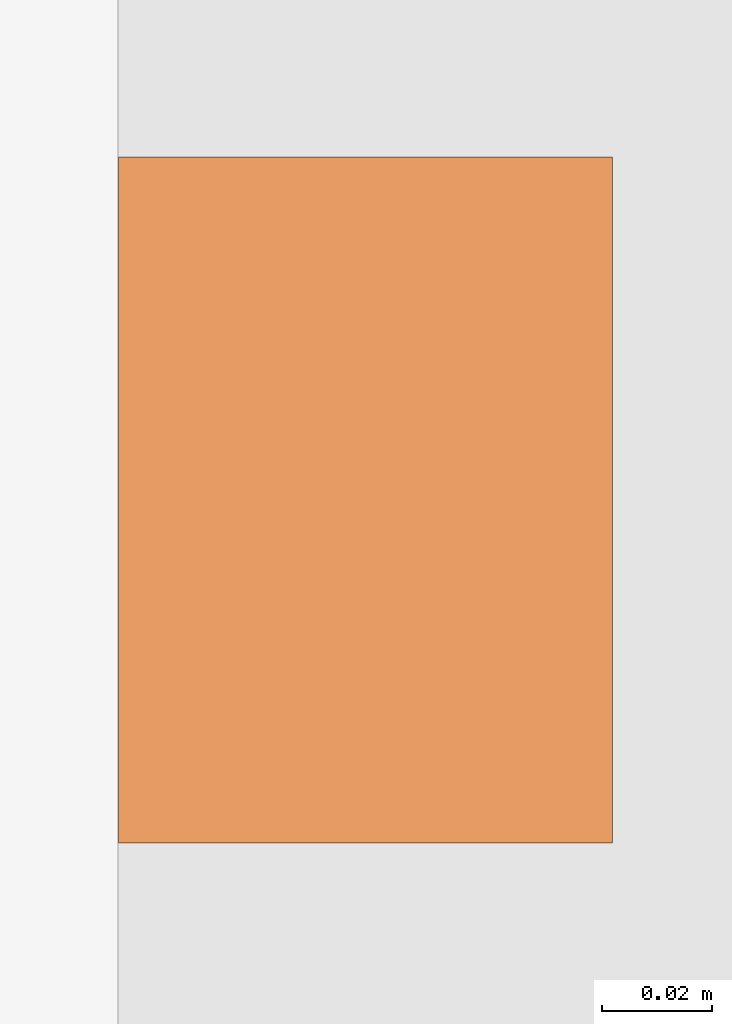
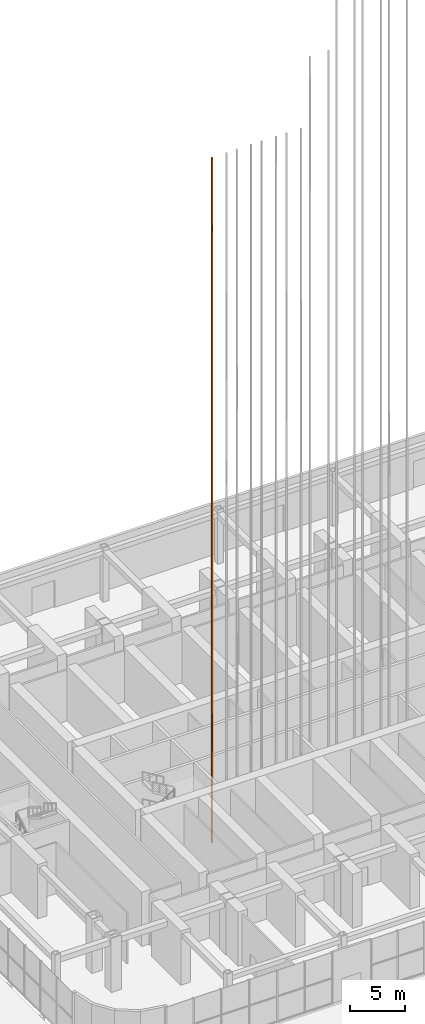
# One storey, part 42 of 57: 1 proxy.
"""IFC4 building model written with IfcOpenShell, lengths in metres."""

from ifc_helpers import new_model, si_unit, direction, frame, origin, origin_2d, place, context, subcontext, project, spatial, rectangle, extrude, material, element, save


model = new_model("IFC4")

# Units and contexts
model_context = context("Model", 3, precision=1e-05, world=origin(), true_north=direction((0.0, 1.0)))
body_context = subcontext(model_context, "Body", "Model", "MODEL_VIEW")
ifc_project = project(units=[si_unit("LENGTHUNIT", "METRE"), si_unit("AREAUNIT", "SQUARE_METRE"), si_unit("VOLUMEUNIT", "CUBIC_METRE"), si_unit("PLANEANGLEUNIT", "RADIAN"), si_unit("MASSUNIT", "GRAM", prefix="KILO")], contexts=[model_context])

# Site, building, storey
site_placement = place(None, origin())
site = spatial("IfcSite", under=ifc_project, at=site_placement, CompositionType="ELEMENT")
building_placement = place(site_placement, origin())
building = spatial("IfcBuilding", under=site, at=building_placement, Name="Orbita Commons", CompositionType="ELEMENT")
storey_placement = place(building_placement, origin())
storey = spatial("IfcBuildingStorey", under=building, at=storey_placement, Name="L00", CompositionType="ELEMENT", Elevation=0.0)

# Proxy
ifc_material = material(Name="Machined steel guide rail", Category="steel")
placement = place(storey_placement, frame((27.300048828125, 28.10009765625, 0.0), z_axis=(0.0, 0.0, 1.0), x_axis=(1.0, 0.0, 0.0)))
proxy_placement = place(placement, frame((-0.7548828125, 0.0, -1.800048828125)))
element("IfcBuildingElementProxy", 1, at=proxy_placement, inside=storey, material=ifc_material, Name="P11 guide rail 1", ObjectType="GUIDE RAIL", PredefinedType="USERDEFINED", context=body_context, shape_type="SweptSolid", body=[
    extrude(rectangle(XDim=0.09, YDim=0.125, at=origin_2d()), origin(), (0.0, 0.0, 1.0), 75.85009765625),
])

save(model, "model.ifc")
